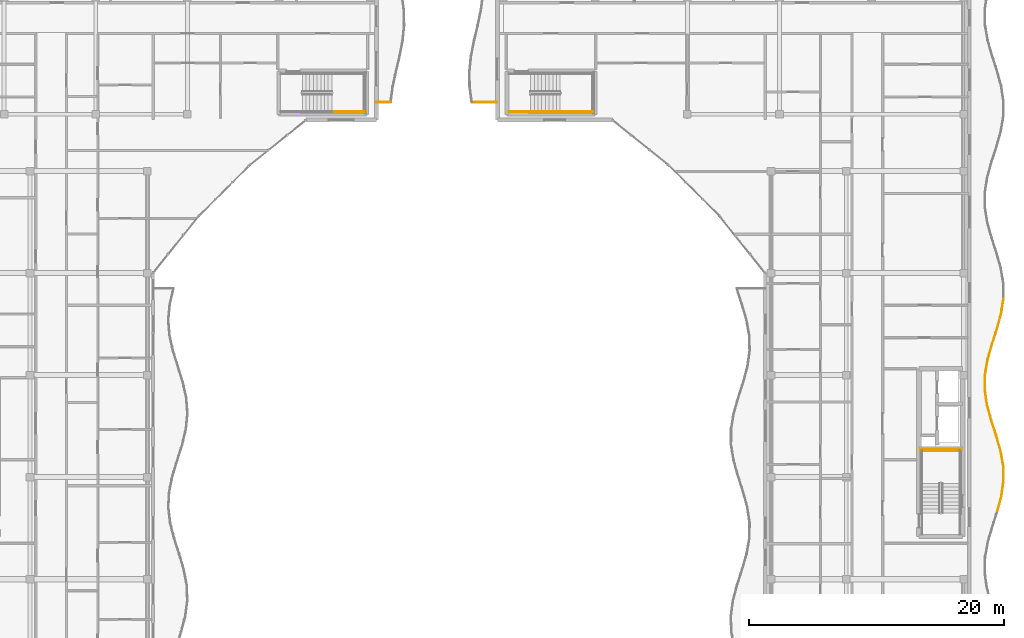
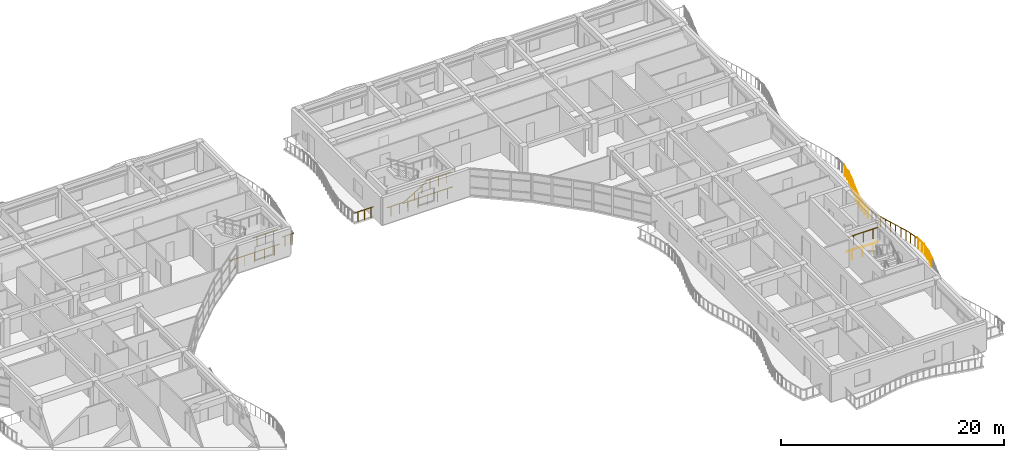
# One storey, part 69 of 72: 24 railings.
"""IFC4 building model written with IfcOpenShell, lengths in metres."""

from ifc_helpers import new_model, si_unit, direction, frame, origin, origin_2d, place, context, subcontext, project, spatial, circle, extrude, material, type_object, element, save


model = new_model("IFC4")

# Units and contexts
model_context = context("Model", 3, precision=1e-05, world=origin(), true_north=direction((0.0, 1.0)))
body_context = subcontext(model_context, "Body", "Model", "MODEL_VIEW")
ifc_project = project(units=[si_unit("LENGTHUNIT", "METRE"), si_unit("AREAUNIT", "SQUARE_METRE"), si_unit("VOLUMEUNIT", "CUBIC_METRE"), si_unit("PLANEANGLEUNIT", "RADIAN"), si_unit("MASSUNIT", "GRAM", prefix="KILO")], contexts=[model_context])

# Site, building, storey
site_placement = place(None, origin())
site = spatial("IfcSite", under=ifc_project, at=site_placement, CompositionType="ELEMENT")
building_placement = place(site_placement, origin())
building = spatial("IfcBuilding", under=site, at=building_placement, Name="Keldmere Railside Commons", CompositionType="ELEMENT")
storey_placement = place(building_placement, frame((0.0, 0.0, 16.9599609375)))
storey = spatial("IfcBuildingStorey", under=building, at=storey_placement, Name="L05", CompositionType="ELEMENT", Elevation=16.9599609375)

# Railings
ifc_material = material(Name="Steel F-24 (S235)", Category="steel")
railing_type_1 = type_object("IfcRailingType", Name="Balcony & Terrace Steel Balustrade 1100", PredefinedType="BALUSTRADE", material=ifc_material)
railing_1_placement = place(storey_placement, frame((137.5, 101.39990234375, 0.0)))
element("IfcRailing", 1, at=railing_1_placement, inside=storey, type_object=railing_type_1, Name="GR-1 GRD-L05-2460", PredefinedType="BALUSTRADE", context=body_context, shape_type="SweptSolid", body=[
    extrude(circle(Radius=0.02392578125, at=origin_2d()), frame((0.0, 0.0, 1.076171875), z_axis=(1.0, 0.0, 0.0), x_axis=(0.0, 1.0, 0.0)), (0.0, 0.0, 1.0), 1.131103515625),
    extrude(circle(Radius=0.02099609375, at=origin_2d()), frame((0.28271484375, 0.0, 0.0)), (0.0, 0.0, 1.0), 1.048095703125),
    extrude(circle(Radius=0.02099609375, at=origin_2d()), frame((0.848388671875, 0.0, 0.0)), (0.0, 0.0, 1.0), 1.048095703125),
])
railing_2_placement = place(storey_placement, frame((186.1953125, 69.316650390625, 0.0)))
element("IfcRailing", 2, at=railing_2_placement, inside=storey, type_object=railing_type_1, Name="GR-1 GRD-L05-3756", PredefinedType="BALUSTRADE", context=body_context, shape_type="SweptSolid", body=[
    extrude(circle(Radius=0.02392578125, at=origin_2d()), frame((0.0, 0.0, 1.076171875), z_axis=(0.259029513157, 0.965869406966, 0.0), x_axis=(-0.965869406966, 0.259029513157, 0.0)), (0.0, 0.0, 1.0), 1.233642578125),
    extrude(circle(Radius=0.02099609375, at=origin_2d()), frame((0.079833984375, 0.2978515625, 0.0)), (0.0, 0.0, 1.0), 1.048095703125),
    extrude(circle(Radius=0.02099609375, at=origin_2d()), frame((0.23974609375, 0.893798828125, 0.0)), (0.0, 0.0, 1.0), 1.048095703125),
])
railing_3_placement = place(storey_placement, frame((186.514892578125, 70.50830078125, 0.0)))
element("IfcRailing", 3, at=railing_3_placement, inside=storey, type_object=railing_type_1, Name="GR-1 GRD-L05-3757", PredefinedType="BALUSTRADE", context=body_context, shape_type="SweptSolid", body=[
    extrude(circle(Radius=0.02392578125, at=origin_2d()), frame((0.0, 0.0, 1.076171875), z_axis=(0.141563323732, 0.989929202203, 0.0), x_axis=(-0.989929202203, 0.141563323732, 0.0)), (0.0, 0.0, 1.0), 1.203857421875),
    extrude(circle(Radius=0.02099609375, at=origin_2d()), frame((0.04248046875, 0.2978515625, 0.0)), (0.0, 0.0, 1.0), 1.048095703125),
    extrude(circle(Radius=0.02099609375, at=origin_2d()), frame((0.1279296875, 0.893798828125, 0.0)), (0.0, 0.0, 1.0), 1.048095703125),
])
railing_4_placement = place(storey_placement, frame((186.685302734375, 71.699951171875, 0.0)))
element("IfcRailing", 4, at=railing_4_placement, inside=storey, type_object=railing_type_1, Name="GR-1 GRD-L05-3758", PredefinedType="BALUSTRADE", context=body_context, shape_type="SweptSolid", body=[
    extrude(circle(Radius=0.02392578125, at=origin_2d()), frame((0.0, 0.0, 1.076171875), z_axis=(-0.020073807228, 0.999798500831, 0.0), x_axis=(-0.999798500831, -0.020073807228, 0.0)), (0.0, 0.0, 1.0), 1.19189453125),
    extrude(circle(Radius=0.02099609375, at=origin_2d()), frame((-0.005859375, 0.2978515625, 0.0)), (0.0, 0.0, 1.0), 1.048095703125),
    extrude(circle(Radius=0.02099609375, at=origin_2d()), frame((-0.01806640625, 0.893798828125, 0.0)), (0.0, 0.0, 1.0), 1.048095703125),
])
railing_5_placement = place(storey_placement, frame((186.661376953125, 72.8916015625, 0.0)))
element("IfcRailing", 5, at=railing_5_placement, inside=storey, type_object=railing_type_1, Name="GR-1 GRD-L05-3759", PredefinedType="BALUSTRADE", context=body_context, shape_type="SweptSolid", body=[
    extrude(circle(Radius=0.02392578125, at=origin_2d()), frame((0.0, 0.0, 1.076171875), z_axis=(-0.175280993805, 0.984518447369, 0.0), x_axis=(-0.984518447369, -0.175280993805, 0.0)), (0.0, 0.0, 1.0), 1.21044921875),
    extrude(circle(Radius=0.02099609375, at=origin_2d()), frame((-0.052978515625, 0.2978515625, 0.0)), (0.0, 0.0, 1.0), 1.048095703125),
    extrude(circle(Radius=0.02099609375, at=origin_2d()), frame((-0.1591796875, 0.893798828125, 0.0)), (0.0, 0.0, 1.0), 1.048095703125),
])
railing_6_placement = place(storey_placement, frame((186.44921875, 74.083251953125, 0.0)))
element("IfcRailing", 6, at=railing_6_placement, inside=storey, type_object=railing_type_1, Name="GR-1 GRD-L05-3760", PredefinedType="BALUSTRADE", context=body_context, shape_type="SweptSolid", body=[
    extrude(circle(Radius=0.02392578125, at=origin_2d()), frame((0.0, 0.0, 1.076171875), z_axis=(-0.277345858755, 0.960770146617, 0.0), x_axis=(-0.960770146617, -0.277345858755, 0.0)), (0.0, 0.0, 1.0), 1.240234375),
    extrude(circle(Radius=0.02099609375, at=origin_2d()), frame((-0.0859375, 0.2978515625, 0.0)), (0.0, 0.0, 1.0), 1.048095703125),
    extrude(circle(Radius=0.02099609375, at=origin_2d()), frame((-0.258056640625, 0.893798828125, 0.0)), (0.0, 0.0, 1.0), 1.048095703125),
])
railing_7_placement = place(storey_placement, frame((186.105224609375, 75.27490234375, 0.0)))
element("IfcRailing", 7, at=railing_7_placement, inside=storey, type_object=railing_type_1, Name="GR-1 GRD-L05-3761", PredefinedType="BALUSTRADE", context=body_context, shape_type="SweptSolid", body=[
    extrude(circle(Radius=0.02392578125, at=origin_2d()), frame((0.0, 0.0, 1.076171875), z_axis=(-0.307384322534, 0.951585455049, 0.0), x_axis=(-0.951585455049, -0.307384322534, 0.0)), (0.0, 0.0, 1.0), 1.25244140625),
    extrude(circle(Radius=0.02099609375, at=origin_2d()), frame((-0.09619140625, 0.2978515625, 0.0)), (0.0, 0.0, 1.0), 1.048095703125),
    extrude(circle(Radius=0.02099609375, at=origin_2d()), frame((-0.288818359375, 0.89404296875, 0.0)), (0.0, 0.0, 1.0), 1.048095703125),
])
railing_8_placement = place(storey_placement, frame((185.72021484375, 76.466796875, 0.0)))
element("IfcRailing", 8, at=railing_8_placement, inside=storey, type_object=railing_type_1, Name="GR-1 GRD-L05-3762", PredefinedType="BALUSTRADE", context=body_context, shape_type="SweptSolid", body=[
    extrude(circle(Radius=0.02392578125, at=origin_2d()), frame((0.0, 0.0, 1.076171875), z_axis=(-0.262766060222, 0.964859574029, 0.0), x_axis=(-0.964859574029, -0.262766060222, 0.0)), (0.0, 0.0, 1.0), 1.23486328125),
    extrude(circle(Radius=0.02099609375, at=origin_2d()), frame((-0.0810546875, 0.2978515625, 0.0)), (0.0, 0.0, 1.0), 1.048095703125),
    extrude(circle(Radius=0.02099609375, at=origin_2d()), frame((-0.243408203125, 0.8935546875, 0.0)), (0.0, 0.0, 1.0), 1.048095703125),
])
railing_9_placement = place(storey_placement, frame((185.395751953125, 77.658203125, 0.0)))
element("IfcRailing", 9, at=railing_9_placement, inside=storey, type_object=railing_type_1, Name="GR-1 GRD-L05-3763", PredefinedType="BALUSTRADE", context=body_context, shape_type="SweptSolid", body=[
    extrude(circle(Radius=0.02392578125, at=origin_2d()), frame((0.0, 0.0, 1.076171875), z_axis=(-0.14748841344, 0.989063783535, 0.0), x_axis=(-0.989063783535, -0.14748841344, 0.0)), (0.0, 0.0, 1.0), 1.205078125),
    extrude(circle(Radius=0.02099609375, at=origin_2d()), frame((-0.04443359375, 0.2978515625, 0.0)), (0.0, 0.0, 1.0), 1.048095703125),
    extrude(circle(Radius=0.02099609375, at=origin_2d()), frame((-0.13330078125, 0.89404296875, 0.0)), (0.0, 0.0, 1.0), 1.048095703125),
])
railing_10_placement = place(storey_placement, frame((185.218017578125, 78.85009765625, 0.0)))
element("IfcRailing", 10, at=railing_10_placement, inside=storey, type_object=railing_type_1, Name="GR-1 GRD-L05-3764", PredefinedType="BALUSTRADE", context=body_context, shape_type="SweptSolid", body=[
    extrude(circle(Radius=0.02392578125, at=origin_2d()), frame((0.0, 0.0, 1.076171875), z_axis=(0.01311094019, 0.99991404793, 0.0), x_axis=(-0.99991404793, 0.01311094019, 0.0)), (0.0, 0.0, 1.0), 1.191650390625),
    extrude(circle(Radius=0.02099609375, at=origin_2d()), frame((0.00390625, 0.2978515625, 0.0)), (0.0, 0.0, 1.0), 1.048095703125),
    extrude(circle(Radius=0.02099609375, at=origin_2d()), frame((0.01171875, 0.893798828125, 0.0)), (0.0, 0.0, 1.0), 1.048095703125),
])
railing_11_placement = place(storey_placement, frame((185.233642578125, 80.041748046875, 0.0)))
element("IfcRailing", 11, at=railing_11_placement, inside=storey, type_object=railing_type_1, Name="GR-1 GRD-L05-3765", PredefinedType="BALUSTRADE", context=body_context, shape_type="SweptSolid", body=[
    extrude(circle(Radius=0.02392578125, at=origin_2d()), frame((0.0, 0.0, 1.076171875), z_axis=(0.169602647638, 0.985512527528, 0.0), x_axis=(-0.985512527528, 0.169602647638, 0.0)), (0.0, 0.0, 1.0), 1.209228515625),
    extrude(circle(Radius=0.02099609375, at=origin_2d()), frame((0.05126953125, 0.2978515625, 0.0)), (0.0, 0.0, 1.0), 1.048095703125),
    extrude(circle(Radius=0.02099609375, at=origin_2d()), frame((0.15380859375, 0.893798828125, 0.0)), (0.0, 0.0, 1.0), 1.048095703125),
])
railing_12_placement = place(storey_placement, frame((185.438720703125, 81.2333984375, 0.0)))
element("IfcRailing", 12, at=railing_12_placement, inside=storey, type_object=railing_type_1, Name="GR-1 GRD-L05-3766", PredefinedType="BALUSTRADE", context=body_context, shape_type="SweptSolid", body=[
    extrude(circle(Radius=0.02392578125, at=origin_2d()), frame((0.0, 0.0, 1.076171875), z_axis=(0.274434893688, 0.961605682765, 0.0), x_axis=(-0.961605682765, 0.274434893688, 0.0)), (0.0, 0.0, 1.0), 1.2392578125),
    extrude(circle(Radius=0.02099609375, at=origin_2d()), frame((0.0849609375, 0.2978515625, 0.0)), (0.0, 0.0, 1.0), 1.048095703125),
    extrude(circle(Radius=0.02099609375, at=origin_2d()), frame((0.255126953125, 0.893798828125, 0.0)), (0.0, 0.0, 1.0), 1.048095703125),
])
railing_13_placement = place(storey_placement, frame((185.77880859375, 82.425048828125, 0.0)))
element("IfcRailing", 13, at=railing_13_placement, inside=storey, type_object=railing_type_1, Name="GR-1 GRD-L05-3767", PredefinedType="BALUSTRADE", context=body_context, shape_type="SweptSolid", body=[
    extrude(circle(Radius=0.02392578125, at=origin_2d()), frame((0.0, 0.0, 1.076171875), z_axis=(0.307794335351, 0.951452913772, 0.0), x_axis=(-0.951452913772, 0.307794335351, 0.0)), (0.0, 0.0, 1.0), 1.25244140625),
    extrude(circle(Radius=0.02099609375, at=origin_2d()), frame((0.096435546875, 0.2978515625, 0.0)), (0.0, 0.0, 1.0), 1.048095703125),
    extrude(circle(Radius=0.02099609375, at=origin_2d()), frame((0.2890625, 0.893798828125, 0.0)), (0.0, 0.0, 1.0), 1.048095703125),
])
railing_14_placement = place(storey_placement, frame((186.164306640625, 83.61669921875, 0.0)))
element("IfcRailing", 14, at=railing_14_placement, inside=storey, type_object=railing_type_1, Name="GR-1 GRD-L05-3768", PredefinedType="BALUSTRADE", context=body_context, shape_type="SweptSolid", body=[
    extrude(circle(Radius=0.02392578125, at=origin_2d()), frame((0.0, 0.0, 1.076171875), z_axis=(0.265840392995, 0.964017056619, 0.0), x_axis=(-0.964017056619, 0.265840392995, 0.0)), (0.0, 0.0, 1.0), 1.236083984375),
    extrude(circle(Radius=0.02099609375, at=origin_2d()), frame((0.08203125, 0.2978515625, 0.0)), (0.0, 0.0, 1.0), 1.048095703125),
    extrude(circle(Radius=0.02099609375, at=origin_2d()), frame((0.24658203125, 0.893798828125, 0.0)), (0.0, 0.0, 1.0), 1.048095703125),
])
railing_15_placement = place(storey_placement, frame((186.492919921875, 84.808349609375, 0.0)))
element("IfcRailing", 15, at=railing_15_placement, inside=storey, type_object=railing_type_1, Name="GR-1 GRD-L05-3769", PredefinedType="BALUSTRADE", context=body_context, shape_type="SweptSolid", body=[
    extrude(circle(Radius=0.02392578125, at=origin_2d()), frame((0.0, 0.0, 1.076171875), z_axis=(0.153654296679, 0.988124666787, 0.0), x_axis=(-0.988124666787, 0.153654296679, 0.0)), (0.0, 0.0, 1.0), 1.2060546875),
    extrude(circle(Radius=0.02099609375, at=origin_2d()), frame((0.04638671875, 0.2978515625, 0.0)), (0.0, 0.0, 1.0), 1.048095703125),
    extrude(circle(Radius=0.02099609375, at=origin_2d()), frame((0.138916015625, 0.893798828125, 0.0)), (0.0, 0.0, 1.0), 1.048095703125),
])
railing_16_placement = place(storey_placement, frame((147.0, 101.39990234375, 0.0)))
element("IfcRailing", 16, at=railing_16_placement, inside=storey, type_object=railing_type_1, Name="GR-1 GRD-L05-3795", PredefinedType="BALUSTRADE", context=body_context, shape_type="SweptSolid", body=[
    extrude(circle(Radius=0.02392578125, at=origin_2d()), frame((0.0, 0.0, 1.076171875), z_axis=(-1.0, 0.0, 0.0), x_axis=(0.0, -1.0, 0.0)), (0.0, 0.0, 1.0), 2.01123046875),
    extrude(circle(Radius=0.02099609375, at=origin_2d()), frame((-0.335205078125, 0.0, 0.0)), (0.0, 0.0, 1.0), 1.048095703125),
    extrude(circle(Radius=0.02099609375, at=origin_2d()), frame((-1.005615234375, 0.0, 0.0)), (0.0, 0.0, 1.0), 1.048095703125),
    extrude(circle(Radius=0.02099609375, at=origin_2d()), frame((-1.676025390625, 0.0, 0.0)), (0.0, 0.0, 1.0), 1.048095703125),
])
railing_type_2 = type_object("IfcRailingType", Name="Stair Well Steel Guardrail 1100", PredefinedType="BALUSTRADE", material=ifc_material)
railing_17_placement = place(storey_placement, frame((134.02001953125, 100.64990234375, 1.60009765625)))
element("IfcRailing", 17, at=railing_17_placement, inside=storey, type_object=railing_type_2, Name="L05 ST-B2 stair guard 3", PredefinedType="BALUSTRADE", context=body_context, shape_type="SweptSolid", body=[
    extrude(circle(Radius=0.02392578125, at=origin_2d()), frame((0.0, 0.0, 1.076171875), z_axis=(1.0, 0.0, 0.0), x_axis=(0.0, 1.0, 0.0)), (0.0, 0.0, 1.0), 2.580078125),
    extrude(circle(Radius=0.02099609375, at=origin_2d()), frame((0.429931640625, 0.0, 0.0)), (0.0, 0.0, 1.0), 1.048095703125),
    extrude(circle(Radius=0.02099609375, at=origin_2d()), frame((1.2900390625, 0.0, 0.0)), (0.0, 0.0, 1.0), 1.048095703125),
    extrude(circle(Radius=0.02099609375, at=origin_2d()), frame((2.150146484375, 0.0, 0.0)), (0.0, 0.0, 1.0), 1.048095703125),
])
railing_18_placement = place(storey_placement, frame((131.60009765625, 100.550048828125, 0.0)))
element("IfcRailing", 18, at=railing_18_placement, inside=storey, type_object=railing_type_2, Name="L05 ST-B2 stair guard 10", PredefinedType="BALUSTRADE", context=body_context, shape_type="SweptSolid", body=[
    extrude(circle(Radius=0.02392578125, at=origin_2d()), frame((0.0, 0.0, 1.076171875), z_axis=(1.0, 0.0, 0.0), x_axis=(0.0, 1.0, 0.0)), (0.0, 0.0, 1.0), 5.099853515625),
    extrude(circle(Radius=0.02099609375, at=origin_2d()), frame((0.510009765625, 0.0, 0.0)), (0.0, 0.0, 1.0), 1.048095703125),
    extrude(circle(Radius=0.02099609375, at=origin_2d()), frame((1.530029296875, 0.0, 0.0)), (0.0, 0.0, 1.0), 1.048095703125),
    extrude(circle(Radius=0.02099609375, at=origin_2d()), frame((2.5498046875, 0.0, 0.0)), (0.0, 0.0, 1.0), 1.048095703125),
    extrude(circle(Radius=0.02099609375, at=origin_2d()), frame((3.56982421875, 0.0, 0.0)), (0.0, 0.0, 1.0), 1.048095703125),
    extrude(circle(Radius=0.02099609375, at=origin_2d()), frame((4.58984375, 0.0, 0.0)), (0.0, 0.0, 1.0), 1.048095703125),
])
railing_19_placement = place(storey_placement, frame((183.300048828125, 74.050048828125, 1.60009765625)))
element("IfcRailing", 19, at=railing_19_placement, inside=storey, type_object=railing_type_2, Name="L05 ST-A1 stair guard 5", PredefinedType="BALUSTRADE", context=body_context, shape_type="SweptSolid", body=[
    extrude(circle(Radius=0.02392578125, at=origin_2d()), frame((0.0, 0.0, 1.076171875), z_axis=(-1.0, 0.0, 0.0), x_axis=(0.0, -1.0, 0.0)), (0.0, 0.0, 1.0), 3.050048828125),
    extrude(circle(Radius=0.02099609375, at=origin_2d()), frame((-0.50830078125, 0.0, 0.0)), (0.0, 0.0, 1.0), 1.048095703125),
    extrude(circle(Radius=0.02099609375, at=origin_2d()), frame((-1.52490234375, 0.0, 0.0)), (0.0, 0.0, 1.0), 1.048095703125),
    extrude(circle(Radius=0.02099609375, at=origin_2d()), frame((-2.541748046875, 0.0, 0.0)), (0.0, 0.0, 1.0), 1.048095703125),
])
railing_20_placement = place(storey_placement, frame((183.39990234375, 74.14990234375, 0.0)))
element("IfcRailing", 20, at=railing_20_placement, inside=storey, type_object=railing_type_2, Name="L05 ST-A1 stair guard 12", PredefinedType="BALUSTRADE", context=body_context, shape_type="SweptSolid", body=[
    extrude(circle(Radius=0.02392578125, at=origin_2d()), frame((0.0, 0.0, 1.076171875), z_axis=(-1.0, 0.0, 0.0), x_axis=(0.0, -1.0, 0.0)), (0.0, 0.0, 1.0), 3.25),
    extrude(circle(Radius=0.02099609375, at=origin_2d()), frame((-0.541748046875, 0.0, 0.0)), (0.0, 0.0, 1.0), 1.048095703125),
    extrude(circle(Radius=0.02099609375, at=origin_2d()), frame((-1.625, 0.0, 0.0)), (0.0, 0.0, 1.0), 1.048095703125),
    extrude(circle(Radius=0.02099609375, at=origin_2d()), frame((-2.708251953125, 0.0, 0.0)), (0.0, 0.0, 1.0), 1.048095703125),
])
railing_21_placement = place(storey_placement, frame((151.919921875, 100.64990234375, 1.60009765625)))
element("IfcRailing", 21, at=railing_21_placement, inside=storey, type_object=railing_type_2, Name="L05 ST-A2 stair guard 3", PredefinedType="BALUSTRADE", context=body_context, shape_type="SweptSolid", body=[
    extrude(circle(Radius=0.02392578125, at=origin_2d()), frame((0.0, 0.0, 1.076171875), z_axis=(1.0, 0.0, 0.0), x_axis=(0.0, 1.0, 0.0)), (0.0, 0.0, 1.0), 2.580078125),
    extrude(circle(Radius=0.02099609375, at=origin_2d()), frame((0.429931640625, 0.0, 0.0)), (0.0, 0.0, 1.0), 1.048095703125),
    extrude(circle(Radius=0.02099609375, at=origin_2d()), frame((1.2900390625, 0.0, 0.0)), (0.0, 0.0, 1.0), 1.048095703125),
    extrude(circle(Radius=0.02099609375, at=origin_2d()), frame((2.150146484375, 0.0, 0.0)), (0.0, 0.0, 1.0), 1.048095703125),
])
railing_22_placement = place(storey_placement, frame((147.89990234375, 100.64990234375, 0.0)))
element("IfcRailing", 22, at=railing_22_placement, inside=storey, type_object=railing_type_2, Name="L05 ST-A2 stair guard 8", PredefinedType="BALUSTRADE", context=body_context, shape_type="SweptSolid", body=[
    extrude(circle(Radius=0.02392578125, at=origin_2d()), frame((0.0, 0.0, 1.076171875), z_axis=(1.0, 0.0, 0.0), x_axis=(0.0, 1.0, 0.0)), (0.0, 0.0, 1.0), 1.7001953125),
    extrude(circle(Radius=0.02099609375, at=origin_2d()), frame((0.425048828125, 0.0, 0.0)), (0.0, 0.0, 1.0), 1.048095703125),
    extrude(circle(Radius=0.02099609375, at=origin_2d()), frame((1.275146484375, 0.0, 0.0)), (0.0, 0.0, 1.0), 1.048095703125),
])
railing_23_placement = place(storey_placement, frame((149.5, 100.550048828125, 0.0)))
element("IfcRailing", 23, at=railing_23_placement, inside=storey, type_object=railing_type_2, Name="L05 ST-A2 stair guard 10", PredefinedType="BALUSTRADE", context=body_context, shape_type="SweptSolid", body=[
    extrude(circle(Radius=0.02392578125, at=origin_2d()), frame((0.0, 0.0, 1.076171875), z_axis=(1.0, 0.0, 0.0), x_axis=(0.0, 1.0, 0.0)), (0.0, 0.0, 1.0), 5.10009765625),
    extrude(circle(Radius=0.02099609375, at=origin_2d()), frame((0.510009765625, 0.0, 0.0)), (0.0, 0.0, 1.0), 1.048095703125),
    extrude(circle(Radius=0.02099609375, at=origin_2d()), frame((1.530029296875, 0.0, 0.0)), (0.0, 0.0, 1.0), 1.048095703125),
    extrude(circle(Radius=0.02099609375, at=origin_2d()), frame((2.550048828125, 0.0, 0.0)), (0.0, 0.0, 1.0), 1.048095703125),
    extrude(circle(Radius=0.02099609375, at=origin_2d()), frame((3.570068359375, 0.0, 0.0)), (0.0, 0.0, 1.0), 1.048095703125),
    extrude(circle(Radius=0.02099609375, at=origin_2d()), frame((4.590087890625, 0.0, 0.0)), (0.0, 0.0, 1.0), 1.048095703125),
])
railing_type_3 = type_object("IfcRailingType", Name="Wall-Mounted Tubular Steel Handrail 900", PredefinedType="HANDRAIL", material=ifc_material)
railing_24_placement = place(storey_placement, frame((149.60009765625, 100.64990234375, 0.177734375)))
element("IfcRailing", 24, at=railing_24_placement, inside=storey, type_object=railing_type_3, Name="L05 ST-A2 stair handrail 1", PredefinedType="HANDRAIL", context=body_context, shape_type="SweptSolid", body=[
    extrude(circle(Radius=0.02392578125, at=origin_2d()), frame((0.0, 0.0, 0.8759765625), z_axis=(0.852513557019, 0.0, 0.522705112944), x_axis=(0.0, 1.0, 0.0)), (0.0, 0.0, 1.0), 2.72119140625),
    extrude(circle(Radius=0.02099609375, at=origin_2d()), frame((0.38671875, 0.0, 0.237060546875)), (0.0, 0.0, 1.0), 0.847900390625),
    extrude(circle(Radius=0.02099609375, at=origin_2d()), frame((1.159912109375, 0.0, 0.711181640625)), (0.0, 0.0, 1.0), 0.847900390625),
    extrude(circle(Radius=0.02099609375, at=origin_2d()), frame((1.93310546875, 0.0, 1.185302734375)), (0.0, 0.0, 1.0), 0.847900390625),
])

save(model, "model.ifc")
